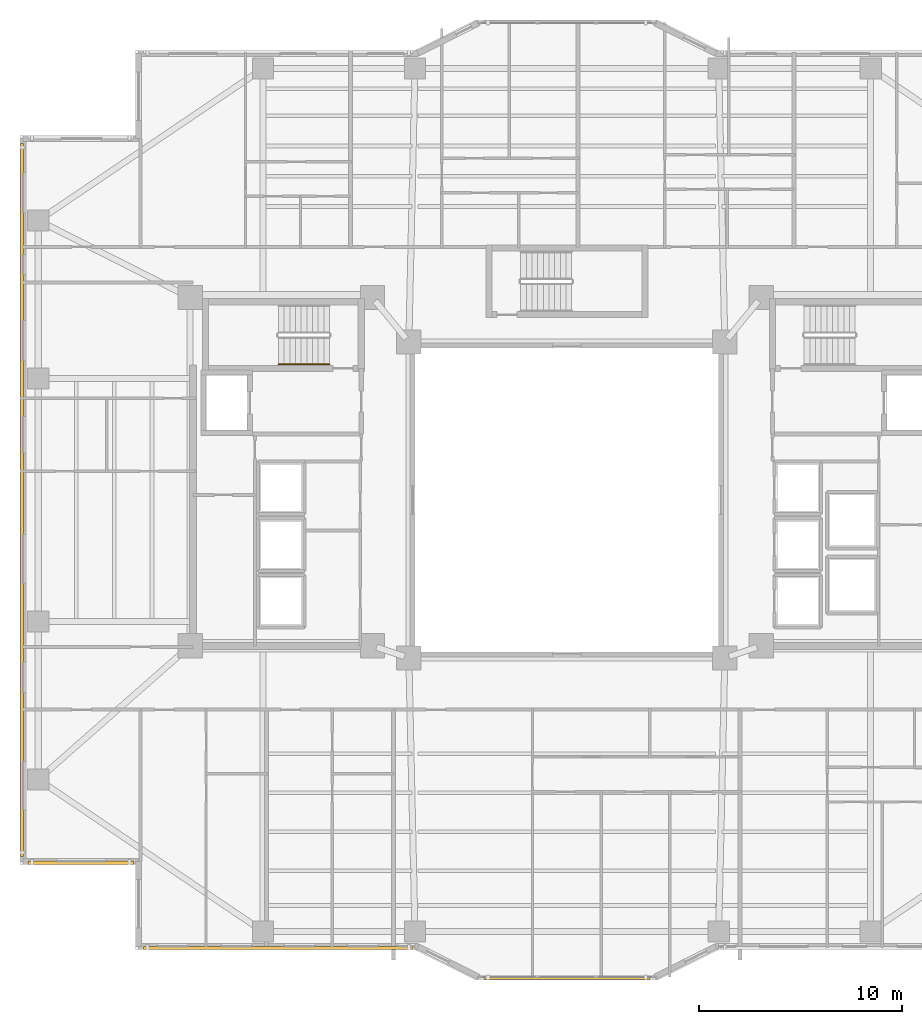
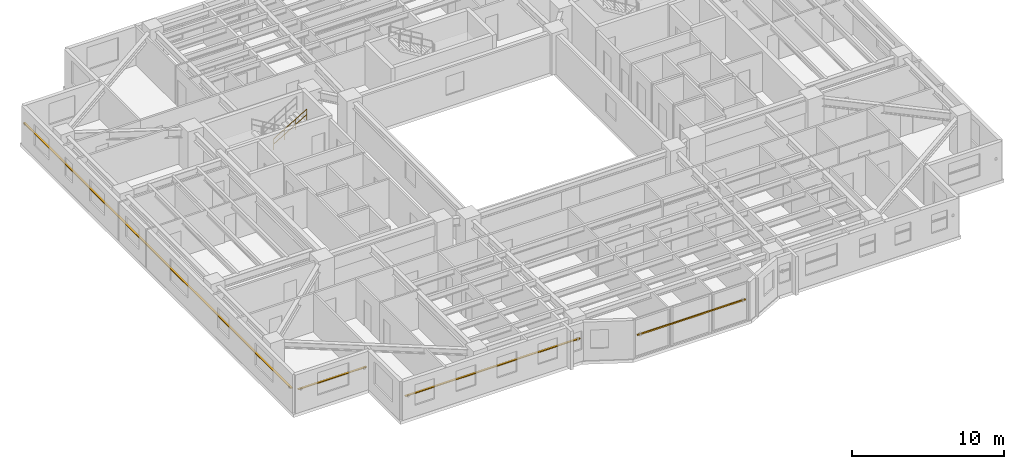
# One storey, part 15 of 19: 4 shading devices, 1 railing.
"""IFC4 building model written with IfcOpenShell, lengths in metres."""

from ifc_helpers import new_model, si_unit, direction, frame, origin, origin_2d, place, context, subcontext, project, spatial, rectangle, circle, extrude, material, material_profile, profile_set, type_object, element, save


model = new_model("IFC4")

# Units and contexts
model_context = context("Model", 3, precision=1e-05, world=origin(), true_north=direction((0.0, 1.0)))
body_context = subcontext(model_context, "Body", "Model", "MODEL_VIEW")
ifc_project = project(units=[si_unit("LENGTHUNIT", "METRE"), si_unit("AREAUNIT", "SQUARE_METRE"), si_unit("VOLUMEUNIT", "CUBIC_METRE"), si_unit("PLANEANGLEUNIT", "RADIAN"), si_unit("MASSUNIT", "GRAM", prefix="KILO")], contexts=[model_context])

# Site, building, storey
site_placement = place(None, origin())
site = spatial("IfcSite", under=ifc_project, at=site_placement, CompositionType="ELEMENT")
building_placement = place(site_placement, origin())
building = spatial("IfcBuilding", under=site, at=building_placement, Name="Tarnavaz Court Tower", CompositionType="ELEMENT")
storey_placement = place(building_placement, frame((0.0, 0.0, 111.800048828125)))
storey = spatial("IfcBuildingStorey", under=building, at=storey_placement, Name="L30", CompositionType="ELEMENT", Elevation=111.800048828125)

# Railing
ifc_material_1 = material(Name="Brushed Stainless Steel", Category="steel")
railing_type = type_object("IfcRailingType", Name="RL-HANDRAIL-900", PredefinedType="HANDRAIL", material=ifc_material_1)
railing_placement = place(storey_placement, frame((-14.239990234375, 6.699951171875, 1.842529296875)))
element("IfcRailing", 1, at=railing_placement, inside=storey, type_object=railing_type, Name="L30 ST-W1 stair handrail 2", PredefinedType="HANDRAIL", context=body_context, shape_type="SweptSolid", body=[
    extrude(circle(Radius=0.02392578125, at=origin_2d()), frame((0.0, 0.0, 0.8759765625), z_axis=(0.858196387827, 0.0, 0.513321497621), x_axis=(0.0, 1.0, 0.0)), (0.0, 0.0, 1.0), 2.9365234375),
    extrude(circle(Radius=0.02392578125, at=origin_2d()), frame((0.0, 0.0, 0.449951171875), z_axis=(0.858196387827, 0.0, 0.513321497621), x_axis=(0.0, 1.0, 0.0)), (0.0, 0.0, 1.0), 2.9365234375),
    extrude(circle(Radius=0.02099609375, at=origin_2d()), origin(), (0.0, 0.0, 1.0), 0.851806640625),
    extrude(circle(Radius=0.02099609375, at=origin_2d()), frame((0.840087890625, 0.0, 0.50244140625)), (0.0, 0.0, 1.0), 0.851806640625),
    extrude(circle(Radius=0.02099609375, at=origin_2d()), frame((1.679931640625, 0.0, 1.0048828125)), (0.0, 0.0, 1.0), 0.851806640625),
    extrude(circle(Radius=0.02099609375, at=origin_2d()), frame((2.52001953125, 0.0, 1.50732421875)), (0.0, 0.0, 1.0), 0.851806640625),
])

# Shading devices
ifc_material_2 = material(Name="Kiln-Fired Khorasan Terracotta Ceramic", Category="masonry")
ifc_material_profile_1 = material_profile(ifc_material_2, rectangle(XDim=0.1201171875, YDim=0.06005859375, at=origin_2d()), Name="TC BAGUETTE 120X60")
ifc_profile_set_1 = profile_set([ifc_material_profile_1], Name="Kiln-Fired Khorasan Terracotta Ceramic")
shading_device_type_1 = type_object("IfcShadingDeviceType", Name="SD-BAG-120", PredefinedType="USERDEFINED", material=ifc_profile_set_1)
shading_device_1_placement = place(storey_placement, frame((4.10009765625, -23.610107421875, 1.800048828125), z_axis=(-1.0, 0.0, 0.0), x_axis=(0.0, -1.0, 0.0)))
element("IfcShadingDevice", 2, at=shading_device_1_placement, inside=storey, type_object=shading_device_type_1, Name="L30 Terracotta Baguette Screen PBG17", ObjectType="BAGUETTE", PredefinedType="USERDEFINED", context=body_context, shape_type="SweptSolid", body=[
    extrude(rectangle(XDim=0.1201171875, YDim=0.06005859375, at=origin_2d()), origin(), (0.0, 0.0, 1.0), 8.2001953125),
])
ifc_material_profile_2 = material_profile(ifc_material_2, rectangle(XDim=0.14990234375, YDim=0.06494140625, at=origin_2d()), Name="TC BAGUETTE 150X65")
ifc_profile_set_2 = profile_set([ifc_material_profile_2], Name="Kiln-Fired Khorasan Terracotta Ceramic")
shading_device_type_2 = type_object("IfcShadingDeviceType", Name="SD-BAG-150", PredefinedType="USERDEFINED", material=ifc_profile_set_2)
shading_device_2_placement = place(storey_placement, frame((-21.39990234375, -17.909912109375, 1.849853515625), z_axis=(-1.0, 0.0, 0.0), x_axis=(0.0, -1.0, 0.0)))
element("IfcShadingDevice", 3, at=shading_device_2_placement, inside=storey, type_object=shading_device_type_2, Name="L30 Terracotta Baguette Screen FBG01", ObjectType="BAGUETTE", PredefinedType="USERDEFINED", context=body_context, shape_type="SweptSolid", body=[
    extrude(rectangle(XDim=0.14990234375, YDim=0.06494140625, at=origin_2d()), origin(), (0.0, 0.0, 1.0), 5.2001953125),
])
shading_device_3_placement = place(storey_placement, frame((-26.909912109375, -17.60009765625, 1.849853515625), z_axis=(0.0, 1.0, 0.0), x_axis=(-1.0, 0.0, 0.0)))
element("IfcShadingDevice", 4, at=shading_device_3_placement, inside=storey, type_object=shading_device_type_2, Name="L30 Terracotta Baguette Screen FBG02", ObjectType="BAGUETTE", PredefinedType="USERDEFINED", context=body_context, shape_type="SweptSolid", body=[
    extrude(rectangle(XDim=0.14990234375, YDim=0.06494140625, at=origin_2d()), origin(), (0.0, 0.0, 1.0), 35.2001953125),
])
shading_device_4_placement = place(storey_placement, frame((-7.60009765625, -22.110107421875, 1.849853515625), z_axis=(-1.0, 0.0, 0.0), x_axis=(0.0, -1.0, 0.0)))
element("IfcShadingDevice", 5, at=shading_device_4_placement, inside=storey, type_object=shading_device_type_2, Name="L30 Terracotta Baguette Screen FBG19", ObjectType="BAGUETTE", PredefinedType="USERDEFINED", context=body_context, shape_type="SweptSolid", body=[
    extrude(rectangle(XDim=0.14990234375, YDim=0.06494140625, at=origin_2d()), origin(), (0.0, 0.0, 1.0), 13.2998046875),
])

save(model, "model.ifc")
